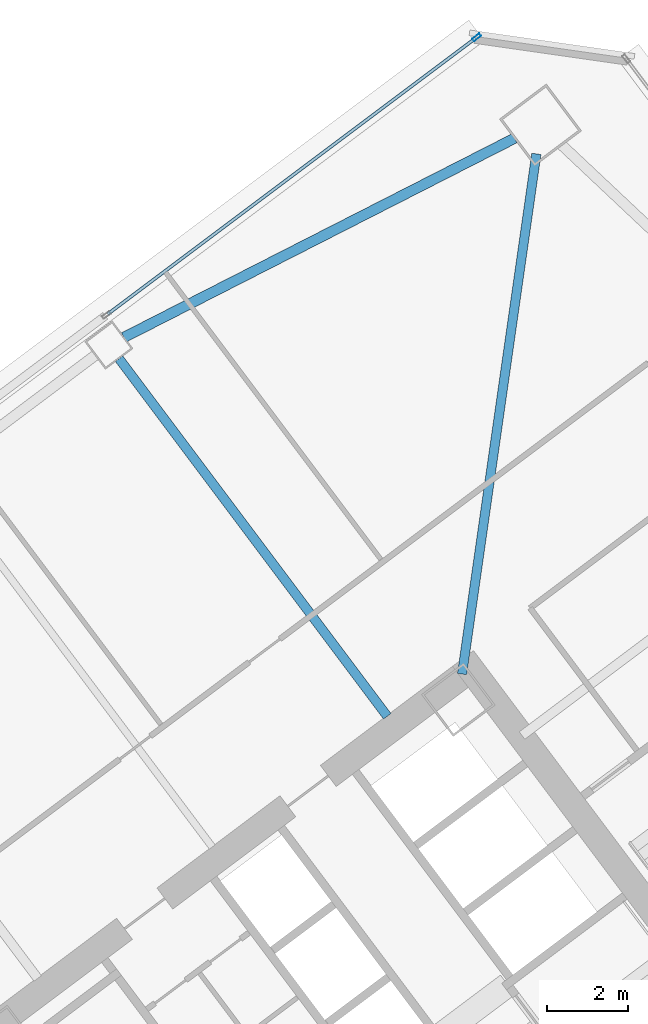
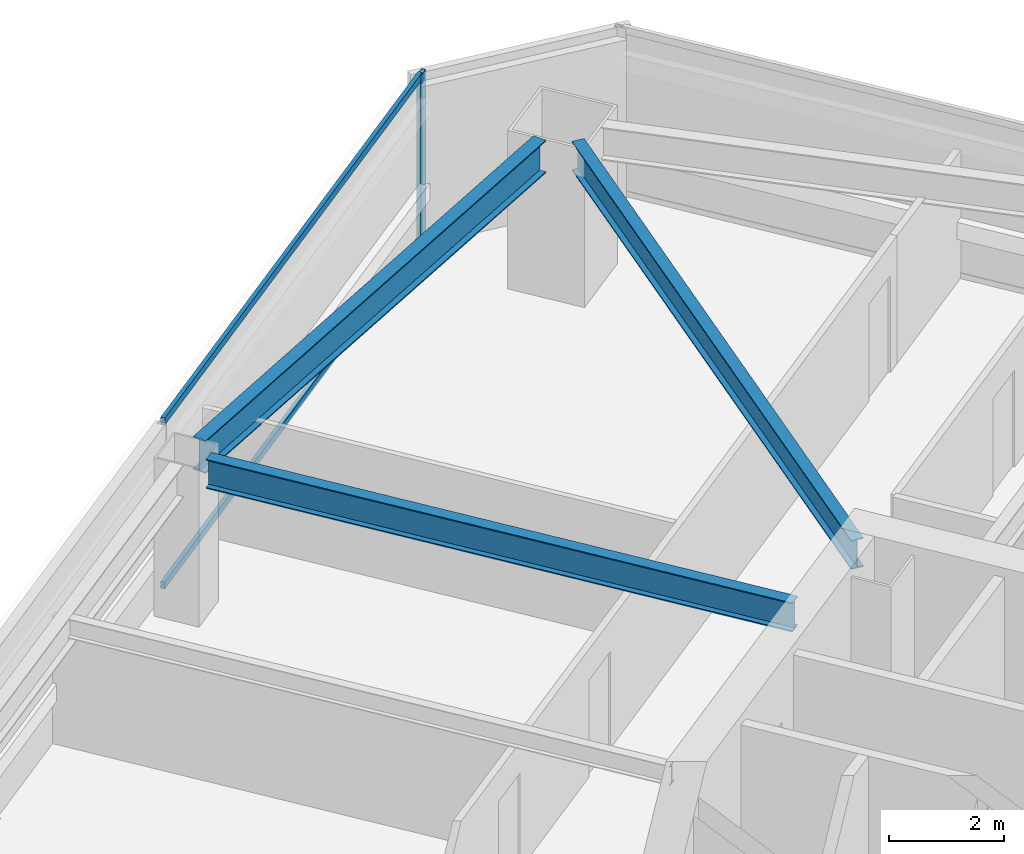
# One storey, part 29 of 44: 3 beams, 3 members, 1 element without a shape of its own.
"""IFC4 building model written with IfcOpenShell, lengths in metres."""

import ifcopenshell
import ifcopenshell.guid

model = None  # the IFC model being written
_history = None  # IfcOwnerHistory: only IFC2X3 demands one
_inside = {}  # id of a spatial element -> (the spatial element, [elements in it])
_under = {}  # id of a project, library or spatial element -> (it, [spatial elements below it])
_declared = {}  # id of a project -> (the project, [libraries it declares])
_typed = {}  # id of a type object -> (the type object, [elements of that type])
_made_of = {}  # id of a material, layer set ... -> (it, [elements and type objects made of it])


def new_model(schema):
    """Start an empty IFC model of exactly this schema.

    Asked for "IFC4X3", IfcOpenShell would pick the latest addendum, in which some entities
    have other attributes; the version numbers below select the first issue.
    IFC2X3 requires an IfcOwnerHistory on every rooted entity: one is made here for all.
    """
    global model, _history
    if schema == "IFC4X3":
        model = ifcopenshell.file(schema_version=(4, 3, 0, 0))
    else:
        model = ifcopenshell.file(schema=schema)
    _inside.clear()
    _under.clear()
    _declared.clear()
    _typed.clear()
    _made_of.clear()
    _history = None
    if model.schema == "IFC2X3":
        org = make("IfcOrganization", Name="unknown")
        user = make(
            "IfcPersonAndOrganization",
            ThePerson=make("IfcPerson", FamilyName="unknown"),
            TheOrganization=org,
        )
        app = make(
            "IfcApplication",
            ApplicationDeveloper=org,
            Version="unknown",
            ApplicationFullName="unknown",
            ApplicationIdentifier="unknown",
        )
        _history = make(
            "IfcOwnerHistory",
            OwningUser=user,
            OwningApplication=app,
            ChangeAction="ADDED",
            CreationDate=0,
        )
    return model


def make(cls, **values):
    """One entity of the class cls with the attributes given. An attribute that is None is left unset."""
    return model.create_entity(
        cls, **{name: value for name, value in values.items() if value is not None}
    )


def rooted(cls, **values):
    """An entity with a GlobalId (a new one), such as an element, a storey or a relation."""
    return make(cls, GlobalId=ifcopenshell.guid.new(), OwnerHistory=_history, **values)


def si_unit(unit_type, name, prefix=None):
    """IfcSIUnit, for example si_unit("LENGTHUNIT", "METRE", prefix="MILLI")."""
    return make("IfcSIUnit", UnitType=unit_type, Prefix=prefix, Name=name)


def assignment(units):
    """IfcUnitAssignment: the units of a project."""
    return None if units is None else make("IfcUnitAssignment", Units=units)


def point(xyz):
    """IfcCartesianPoint."""
    return None if xyz is None else make("IfcCartesianPoint", Coordinates=xyz)


def direction(xyz):
    """IfcDirection."""
    return None if xyz is None else make("IfcDirection", DirectionRatios=xyz)


def frame(location, z_axis=None, x_axis=None):
    """IfcAxis2Placement3D, a coordinate frame: its origin and axes. An axis left out is left unset."""
    return make(
        "IfcAxis2Placement3D",
        Location=point(location),
        Axis=direction(z_axis),
        RefDirection=direction(x_axis),
    )


def frame_2d(location, x_axis=None):
    """IfcAxis2Placement2D, a coordinate frame in the plane: its origin and x axis."""
    return make(
        "IfcAxis2Placement2D", Location=point(location), RefDirection=direction(x_axis)
    )


def origin():
    """The frame at (0, 0, 0) with its axes left unset."""
    return frame((0.0, 0.0, 0.0))


def origin_2d():
    """The frame at (0, 0) in the plane with its x axis left unset."""
    return frame_2d((0.0, 0.0))


def place(relative_to, where):
    """IfcLocalPlacement: puts the frame where relative to a parent placement (None: the world)."""
    return make(
        "IfcLocalPlacement", PlacementRelTo=relative_to, RelativePlacement=where
    )


def context(
    kind, dimensions, precision=None, world=None, true_north=None, identifier=None
):
    """IfcGeometricRepresentationContext, for example the 3D "Model" context."""
    return make(
        "IfcGeometricRepresentationContext",
        ContextIdentifier=identifier,
        ContextType=kind,
        CoordinateSpaceDimension=dimensions,
        Precision=precision,
        WorldCoordinateSystem=world,
        TrueNorth=true_north,
    )


def subcontext(parent, identifier, kind, view, scale=None):
    """IfcGeometricRepresentationSubContext, for example "Body" below "Model"."""
    return make(
        "IfcGeometricRepresentationSubContext",
        ContextIdentifier=identifier,
        ContextType=kind,
        ParentContext=parent,
        TargetScale=scale,
        TargetView=view,
    )


def project(units=None, contexts=None):
    """IfcProject with its units and contexts."""
    return rooted(
        "IfcProject",
        Name="project",
        RepresentationContexts=contexts,
        UnitsInContext=assignment(units),
    )


def spatial(cls, under=None, at=None, **own):
    """A site, building, storey or space (cls), placed at a placement, below another one or the project."""
    s = rooted(cls, ObjectPlacement=at, **own)
    if under is not None:
        _under.setdefault(under.id(), (under, []))[1].append(s)
    return s


def profile(cls, at=None, kind="AREA", **sizes):
    """A parametric profile (cls). Its sizes go by their IFC names, for example OverallWidth=200.0."""
    return make(cls, ProfileType=kind, Position=at, **sizes)


def hollow_rectangle(**sizes):
    """IfcRectangleHollowProfileDef."""
    return profile("IfcRectangleHollowProfileDef", **sizes)


def i_section(**sizes):
    """IfcIShapeProfileDef."""
    return profile("IfcIShapeProfileDef", **sizes)


def extrude(swept, where, along, depth):
    """IfcExtrudedAreaSolid: the profile swept, set in the frame where, extruded along a direction by depth."""
    return make(
        "IfcExtrudedAreaSolid",
        SweptArea=swept,
        Position=where,
        ExtrudedDirection=direction(along),
        Depth=depth,
    )


def shape(context_of_items, identifier, shape_type, items):
    """IfcShapeRepresentation: the items that make up one representation, for example the "Body"."""
    return make(
        "IfcShapeRepresentation",
        ContextOfItems=context_of_items,
        RepresentationIdentifier=identifier,
        RepresentationType=shape_type,
        Items=items,
    )


def material(Name=None, Category=None):
    """IfcMaterial."""
    return make("IfcMaterial", Name=Name, Category=Category)


def material_profile(
    of_material, cross_section, Name=None, Category=None, Priority=None
):
    """IfcMaterialProfile: a cross section and its material."""
    return make(
        "IfcMaterialProfile",
        Name=Name,
        Material=of_material,
        Profile=cross_section,
        Priority=Priority,
        Category=Category,
    )


def profile_set(profiles, Name=None, composite=None):
    """IfcMaterialProfileSet."""
    return make(
        "IfcMaterialProfileSet",
        Name=Name,
        MaterialProfiles=profiles,
        CompositeProfile=composite,
    )


def made_of(thing, what):
    """Note that an element or type object is made of a material, layer set ...; save() writes the relation."""
    if what is not None:
        _made_of.setdefault(what.id(), (what, []))[1].append(thing)
    return thing


def type_object(cls, material=None, **own):
    """A type object (cls), such as IfcWallType, which elements share."""
    return made_of(rooted(cls, **own), material)


def element(
    cls,
    number,
    at=None,
    inside=None,
    cuts=None,
    type_object=None,
    material=None,
    context=None,
    identifier="Body",
    shape_type=None,
    held_by="IfcProductDefinitionShape",
    body=None,
    shapes=None,
    **own,
):
    """One element of the class cls, such as IfcWall. Its Tag is "e" and its number.

    at: its placement. inside: the storey or other place that contains it. cuts: it is an
    opening in that element (IfcRelVoidsElement). A single representation is given by context,
    identifier, shape_type and body (its items); several are given by shapes. held_by: the class
    of the entity that holds the representations. save() writes the other relations.
    """
    e = rooted(cls, Tag="e%d" % number, ObjectPlacement=at, **own)
    if body is not None:
        shapes = [shape(context, identifier, shape_type, body)]
    if shapes is not None:
        e.Representation = make(held_by, Representations=shapes)
    if inside is not None:
        _inside.setdefault(inside.id(), (inside, []))[1].append(e)
    if cuts is not None:
        rooted(
            "IfcRelVoidsElement", RelatingBuildingElement=cuts, RelatedOpeningElement=e
        )
    if type_object is not None:
        _typed.setdefault(type_object.id(), (type_object, []))[1].append(e)
    return made_of(e, material)


def aggregate(whole, parts):
    """IfcRelAggregates: a whole, such as a stair, and the parts it consists of."""
    return rooted("IfcRelAggregates", RelatingObject=whole, RelatedObjects=parts)


def save(model, path):
    """Write the relations noted so far, then the file.

    IfcRelAggregates (storeys below a building ...), IfcRelContainedInSpatialStructure (elements
    in a storey), IfcRelDefinesByType, IfcRelAssociatesMaterial and IfcRelDeclares: one each for
    every whole, place, type object, material and project.
    """
    for whole, parts in _under.values():
        aggregate(whole, parts)
    for where, things in _inside.values():
        rooted(
            "IfcRelContainedInSpatialStructure",
            RelatedElements=things,
            RelatingStructure=where,
        )
    for kind, things in _typed.values():
        rooted("IfcRelDefinesByType", RelatedObjects=things, RelatingType=kind)
    for what, things in _made_of.values():
        rooted("IfcRelAssociatesMaterial", RelatedObjects=things, RelatingMaterial=what)
    for by, libraries in _declared.values():
        rooted("IfcRelDeclares", RelatingContext=by, RelatedDefinitions=libraries)
    model.write(path)


model = new_model("IFC4")

# Units and contexts
model_context = context("Model", 3, precision=1e-05, world=origin(), true_north=direction((0.0, 1.0)))
body_context = subcontext(model_context, "Body", "Model", "MODEL_VIEW")
ifc_project = project(units=[si_unit("LENGTHUNIT", "METRE"), si_unit("AREAUNIT", "SQUARE_METRE"), si_unit("VOLUMEUNIT", "CUBIC_METRE"), si_unit("PLANEANGLEUNIT", "RADIAN"), si_unit("MASSUNIT", "GRAM", prefix="KILO")], contexts=[model_context])

# Site, building, storey
site_placement = place(None, origin())
site = spatial("IfcSite", under=ifc_project, at=site_placement, CompositionType="ELEMENT")
building_placement = place(site_placement, origin())
building = spatial("IfcBuilding", under=site, at=building_placement, Name="Tashvorn Skyway Center", CompositionType="ELEMENT")
storey_placement = place(building_placement, frame((0.0, 0.0, 102.699951171875)))
storey = spatial("IfcBuildingStorey", under=building, at=storey_placement, Name="L27", CompositionType="ELEMENT", Elevation=102.699951171875)

# Beams
ifc_material_1 = material(Name="Steel ASTM A992 Grade 50", Category="steel")
ifc_material_profile_1 = material_profile(ifc_material_1, i_section(OverallWidth=0.22998046875, OverallDepth=0.616943359375, WebThickness=0.01318359375, FlangeThickness=0.022216796875, at=origin_2d()), Name="W24X94")
ifc_profile_set_1 = profile_set([ifc_material_profile_1], Name="Steel ASTM A992 Grade 50")
beam_type_1 = type_object("IfcBeamType", Name="BM-BEAM-W24X94", PredefinedType="BEAM", material=ifc_profile_set_1)
beam_1_placement = place(storey_placement, frame((117.338134765625, 55.3671875, 3.04150390625), z_axis=(-0.141418724841, -0.989949869571, 0.0), x_axis=(0.989949869571, -0.141418724841, 0.0)))
element("IfcBeam", 1, at=beam_1_placement, inside=storey, type_object=beam_type_1, Name="Tower 2 L27 Primary Floor Girder MC-NE", PredefinedType="BEAM", context=body_context, shape_type="SweptSolid", body=[
    extrude(i_section(OverallWidth=0.22998046875, OverallDepth=0.616943359375, WebThickness=0.01318359375, FlangeThickness=0.022216796875, at=origin_2d()), origin(), (0.0, 0.0, 1.0), 12.9892578125),
])
beam_2_placement = place(storey_placement, frame((107.02197265625, 50.303955078125, 3.04150390625), z_axis=(0.60001414024, -0.799989394625, 0.0), x_axis=(0.799989394625, 0.60001414024, 0.0)))
element("IfcBeam", 2, at=beam_2_placement, inside=storey, type_object=beam_type_1, Name="Tower 2 L27 Primary Floor Girder FC-N1", PredefinedType="BEAM", context=body_context, shape_type="SweptSolid", body=[
    extrude(i_section(OverallWidth=0.22998046875, OverallDepth=0.616943359375, WebThickness=0.01318359375, FlangeThickness=0.022216796875, at=origin_2d()), origin(), (0.0, 0.0, 1.0), 11.050048828125),
])
ifc_material_profile_2 = material_profile(ifc_material_1, i_section(OverallWidth=0.256103515625, OverallDepth=0.693115234375, WebThickness=0.014404296875, FlangeThickness=0.023681640625, at=origin_2d()), Name="W27X114")
ifc_profile_set_2 = profile_set([ifc_material_profile_2], Name="Steel ASTM A992 Grade 50")
beam_type_2 = type_object("IfcBeamType", Name="BM-SPANDREL-W27X114", PredefinedType="SPANDREL", material=ifc_profile_set_2)
beam_3_placement = place(storey_placement, frame((116.798583984375, 55.7529296875, 3.003662109375), z_axis=(-0.890894170442, -0.454210938961, 0.0), x_axis=(0.454210938961, -0.890894170442, 0.0)))
element("IfcBeam", 3, at=beam_3_placement, inside=storey, type_object=beam_type_2, Name="Tower 2 L27 Spandrel Beam 07", PredefinedType="SPANDREL", context=body_context, shape_type="SweptSolid", body=[
    extrude(i_section(OverallWidth=0.256103515625, OverallDepth=0.693115234375, WebThickness=0.014404296875, FlangeThickness=0.023681640625, at=origin_2d()), origin(), (0.0, 0.0, 1.0), 10.836669921875),
])

# Curtain wall, members
ifc_material_2 = material(Name="Thermally broken bronze-anodized aluminium 6063-T6", Category="aluminium")
curtain_wall_type = type_object("IfcCurtainWallType", Name="CW-CW-Z2", PredefinedType="NOTDEFINED", material=ifc_material_2)
curtain_wall_placement = place(storey_placement, origin())
curtain_wall = element("IfcCurtainWall", 4, at=curtain_wall_placement, inside=storey, type_object=curtain_wall_type, Name="Tower 2 L27 North Unitised Curtain Wall Glazing Group 2", PredefinedType="NOTDEFINED")
ifc_material_profile_3 = material_profile(ifc_material_2, hollow_rectangle(XDim=0.080078125, YDim=0.219970703125, WallThickness=0.0048828125, at=origin_2d()), Name="ALU-MULL-80x220")
ifc_profile_set_3 = profile_set([ifc_material_profile_3], Name="Thermally broken bronze-anodized aluminium 6063-T6")
member_type_1 = type_object("IfcMemberType", Name="CWM-CW-Z2", PredefinedType="MULLION", material=ifc_profile_set_3)
member_1_placement = place(storey_placement, frame((115.864013671875, 58.248046875, 0.0), z_axis=(0.0, 0.0, 1.0), x_axis=(-0.600000000002, 0.799999999998, 0.0)))
member_1 = element("IfcMember", 5, at=member_1_placement, type_object=member_type_1, Name="CW-Z2 mullion 2", PredefinedType="MULLION", context=body_context, shape_type="SweptSolid", body=[
    extrude(hollow_rectangle(XDim=0.080078125, YDim=0.219970703125, WallThickness=0.0048828125, at=origin_2d()), origin(), (0.0, 0.0, 1.0), 3.550048828125),
])
ifc_material_profile_4 = material_profile(ifc_material_2, hollow_rectangle(XDim=0.080078125, YDim=0.14990234375, WallThickness=0.00439453125, at=origin_2d()), Name="ALU-TRAN-80x150")
ifc_profile_set_4 = profile_set([ifc_material_profile_4], Name="Thermally broken bronze-anodized aluminium 6063-T6")
member_type_2 = type_object("IfcMemberType", Name="CWT-CW-Z2", PredefinedType="USERDEFINED", material=ifc_profile_set_4)
member_2_placement = place(storey_placement, frame((106.743896484375, 51.407958984375, 0.0400390625), z_axis=(0.799997421089, 0.600003438533, 0.0), x_axis=(-0.600003438533, 0.799997421089, 0.0)))
member_2 = element("IfcMember", 6, at=member_2_placement, type_object=member_type_2, Name="CW-Z2 transom 1.1", ObjectType="TRANSOM", PredefinedType="USERDEFINED", context=body_context, shape_type="SweptSolid", body=[
    extrude(hollow_rectangle(XDim=0.080078125, YDim=0.14990234375, WallThickness=0.00439453125, at=origin_2d()), origin(), (0.0, 0.0, 1.0), 11.360107421875),
])
member_3_placement = place(storey_placement, frame((106.743896484375, 51.407958984375, 3.510009765625), z_axis=(0.799997421089, 0.600003438533, 0.0), x_axis=(-0.600003438533, 0.799997421089, 0.0)))
member_3 = element("IfcMember", 7, at=member_3_placement, type_object=member_type_2, Name="CW-Z2 transom 1.2", ObjectType="TRANSOM", PredefinedType="USERDEFINED", context=body_context, shape_type="SweptSolid", body=[
    extrude(hollow_rectangle(XDim=0.080078125, YDim=0.14990234375, WallThickness=0.00439453125, at=origin_2d()), origin(), (0.0, 0.0, 1.0), 11.360107421875),
])
aggregate(curtain_wall, [member_1, member_2, member_3])

save(model, "model.ifc")
